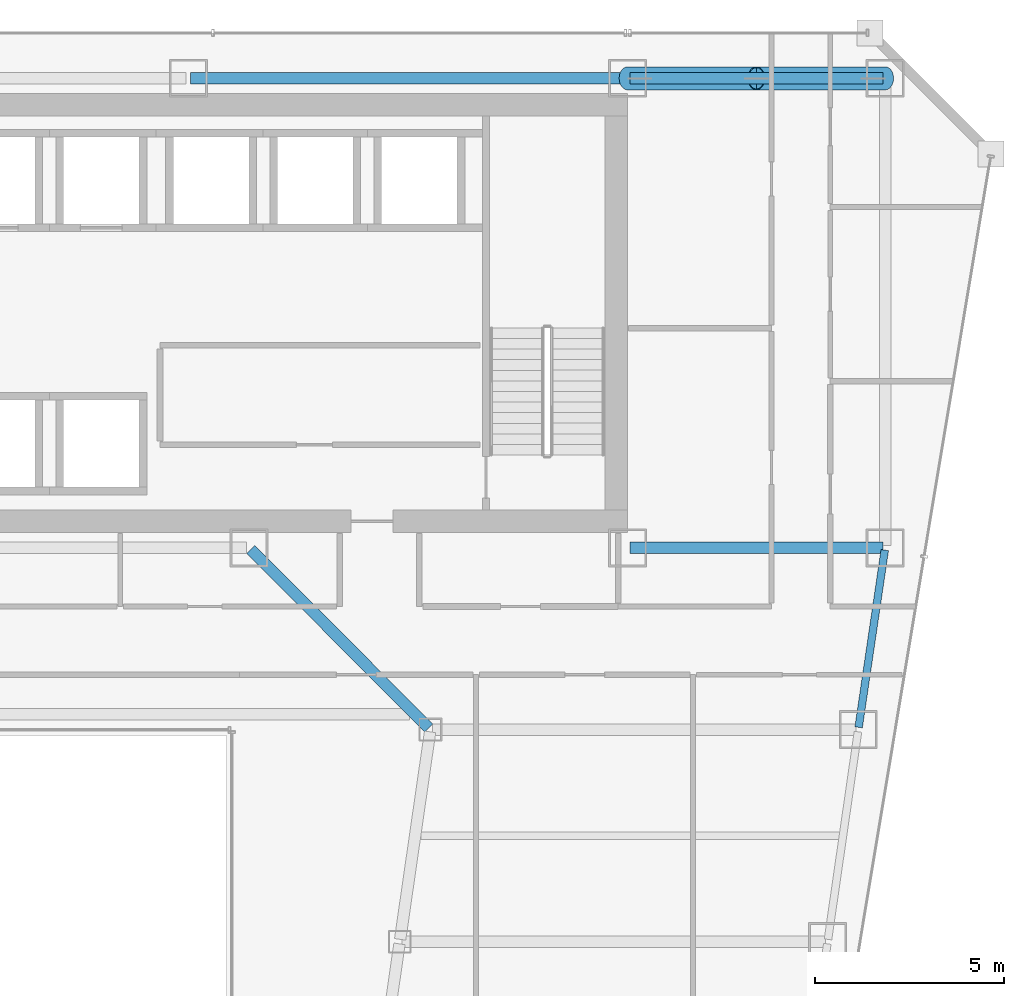
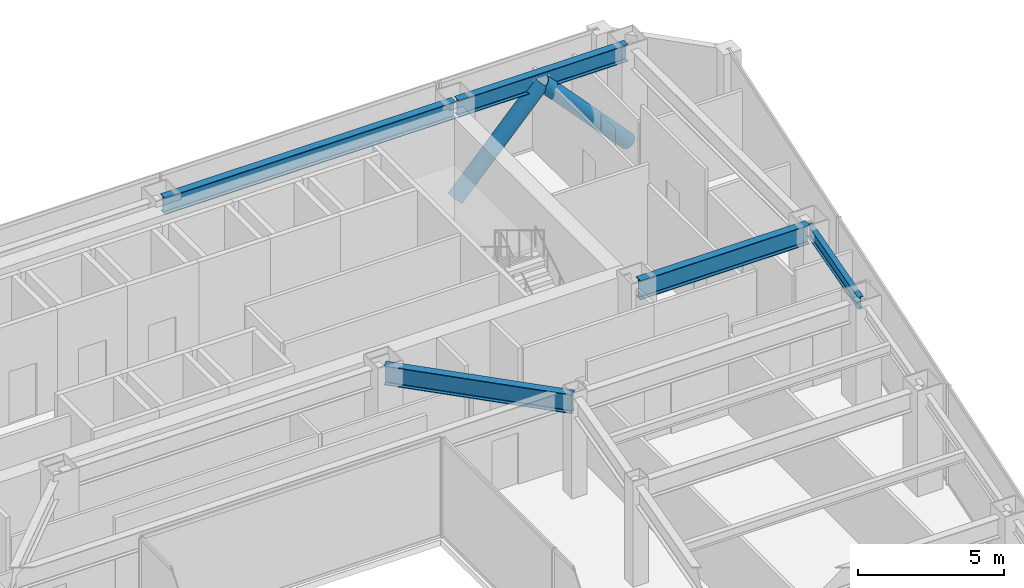
# One storey, part 26 of 37: 5 beams, 2 members.
"""IFC4 building model written with IfcOpenShell, lengths in metres."""

from ifc_helpers import new_model, si_unit, direction, frame, origin, origin_2d, place, context, subcontext, project, spatial, hollow_circle, i_section, extrude, material, material_profile, profile_set, type_object, element, save


model = new_model("IFC4")

# Units and contexts
model_context = context("Model", 3, precision=1e-05, world=origin(), true_north=direction((0.0, 1.0)))
body_context = subcontext(model_context, "Body", "Model", "MODEL_VIEW")
ifc_project = project(units=[si_unit("LENGTHUNIT", "METRE"), si_unit("AREAUNIT", "SQUARE_METRE"), si_unit("VOLUMEUNIT", "CUBIC_METRE"), si_unit("PLANEANGLEUNIT", "RADIAN"), si_unit("MASSUNIT", "GRAM", prefix="KILO")], contexts=[model_context])

# Site, building, storey
site_placement = place(None, origin())
site = spatial("IfcSite", under=ifc_project, at=site_placement, CompositionType="ELEMENT")
building_placement = place(site_placement, origin())
building = spatial("IfcBuilding", under=site, at=building_placement, Name="Saevonmaru Cultural Tower", CompositionType="ELEMENT")
storey_placement = place(building_placement, frame((0.0, 0.0, 114.800048828125)))
storey = spatial("IfcBuildingStorey", under=building, at=storey_placement, Name="L24", CompositionType="ELEMENT", Elevation=114.800048828125)

# Beams
ifc_material_1 = material(Name="Steel SM420", Category="steel")
ifc_material_profile_1 = material_profile(ifc_material_1, i_section(OverallWidth=0.300048828125, OverallDepth=0.800048828125, WebThickness=0.013916015625, FlangeThickness=0.02587890625, FilletRadius=0.028076171875, at=origin_2d()), Name="H-800x300x14x26")
ifc_profile_set_1 = profile_set([ifc_material_profile_1], Name="Steel SM420")
beam_type_1 = type_object("IfcBeamType", Name="BM-G-H800", PredefinedType="BEAM", material=ifc_profile_set_1)
beam_1_placement = place(storey_placement, frame((46.4599609375, 42.39990234375, 3.75), z_axis=(1.0, 0.0, 0.0), x_axis=(0.0, 1.0, 0.0)))
element("IfcBeam", 1, at=beam_1_placement, inside=storey, type_object=beam_type_1, Name="L24 Core South Girder 5", PredefinedType="BEAM", context=body_context, shape_type="SweptSolid", body=[
    extrude(i_section(OverallWidth=0.300048828125, OverallDepth=0.800048828125, WebThickness=0.013916015625, FlangeThickness=0.02587890625, FilletRadius=0.028076171875, at=origin_2d()), origin(), (0.0, 0.0, 1.0), 6.679931640625),
])
beam_2_placement = place(storey_placement, frame((41.149658203125, 37.642578125, 3.75), z_axis=(-0.706538566564, 0.707674539572, 0.0), x_axis=(-0.707674539572, -0.706538566564, 0.0)))
element("IfcBeam", 2, at=beam_2_placement, inside=storey, type_object=beam_type_1, Name="L24 East Atrium Girder 5", PredefinedType="BEAM", context=body_context, shape_type="SweptSolid", body=[
    extrude(i_section(OverallWidth=0.300048828125, OverallDepth=0.800048828125, WebThickness=0.013916015625, FlangeThickness=0.02587890625, FilletRadius=0.028076171875, at=origin_2d()), origin(), (0.0, 0.0, 1.0), 6.662353515625),
])
ifc_material_2 = material(Name="Steel SM355", Category="steel")
ifc_material_profile_2 = material_profile(ifc_material_2, i_section(OverallWidth=0.199951171875, OverallDepth=0.5, WebThickness=0.010009765625, FlangeThickness=0.01611328125, FilletRadius=0.02001953125, at=origin_2d()), Name="H-500x200x10x16")
ifc_profile_set_2 = profile_set([ifc_material_profile_2], Name="Steel SM355")
beam_type_2 = type_object("IfcBeamType", Name="BM-SP-H500", PredefinedType="SPANDREL", material=ifc_profile_set_2)
beam_3_placement = place(storey_placement, frame((52.500732421875, 37.659423828125, 3.89990234375), z_axis=(0.145912860028, 0.989297446312, 0.0), x_axis=(-0.989297446312, 0.145912860028, 0.0)))
element("IfcBeam", 3, at=beam_3_placement, inside=storey, type_object=beam_type_2, Name="L24 East Splayed Spandrel 5", PredefinedType="SPANDREL", context=body_context, shape_type="SweptSolid", body=[
    extrude(i_section(OverallWidth=0.199951171875, OverallDepth=0.5, WebThickness=0.010009765625, FlangeThickness=0.01611328125, FilletRadius=0.02001953125, at=origin_2d()), origin(), (0.0, 0.0, 1.0), 4.731689453125),
])
ifc_material_profile_3 = material_profile(ifc_material_2, i_section(OverallWidth=0.300048828125, OverallDepth=0.699951171875, WebThickness=0.012939453125, FlangeThickness=0.02392578125, FilletRadius=0.02587890625, at=origin_2d()), Name="H-700x300x13x24")
ifc_profile_set_3 = profile_set([ifc_material_profile_3], Name="Steel SM355")
beam_type_3 = type_object("IfcBeamType", Name="BM-SP-H700", PredefinedType="SPANDREL", material=ifc_profile_set_3)
beam_4_placement = place(storey_placement, frame((34.860107421875, 54.800048828125, 3.800048828125), z_axis=(1.0, 0.0, 0.0), x_axis=(0.0, 1.0, 0.0)))
element("IfcBeam", 4, at=beam_4_placement, inside=storey, type_object=beam_type_3, Name="L24 North Spine Girder 4", PredefinedType="SPANDREL", context=body_context, shape_type="SweptSolid", body=[
    extrude(i_section(OverallWidth=0.300048828125, OverallDepth=0.699951171875, WebThickness=0.012939453125, FlangeThickness=0.02392578125, FilletRadius=0.02587890625, at=origin_2d()), origin(), (0.0, 0.0, 1.0), 11.47998046875),
])
beam_5_placement = place(storey_placement, frame((46.4599609375, 54.800048828125, 3.800048828125), z_axis=(1.0, 0.0, 0.0), x_axis=(0.0, 1.0, 0.0)))
element("IfcBeam", 5, at=beam_5_placement, inside=storey, type_object=beam_type_3, Name="L24 North Spine Girder 5", PredefinedType="SPANDREL", context=body_context, shape_type="SweptSolid", body=[
    extrude(i_section(OverallWidth=0.300048828125, OverallDepth=0.699951171875, WebThickness=0.012939453125, FlangeThickness=0.02392578125, FilletRadius=0.02587890625, at=origin_2d()), origin(), (0.0, 0.0, 1.0), 6.679931640625),
])

# Members
ifc_material_3 = material(Name="Steel HSA600 (600 MPa)", Category="steel")
ifc_material_profile_4 = material_profile(ifc_material_3, hollow_circle(Radius=0.3046875, WallThickness=0.02490234375, at=origin_2d()), Name="CHS-609.6x25")
ifc_profile_set_4 = profile_set([ifc_material_profile_4], Name="Steel HSA600 (600 MPa)")
member_type = type_object("IfcMemberType", Name="MB-PBR-CHS610", PredefinedType="BRACE", material=ifc_profile_set_4)
member_1_placement = place(storey_placement, frame((46.39990234375, 54.800048828125, 0.02001953125), z_axis=(0.681629141635, 0.0, 0.731697829212), x_axis=(0.0, 1.0, 0.0)))
element("IfcMember", 6, at=member_1_placement, inside=storey, type_object=member_type, Name="L24 Perimeter Braced-Tube Diagonal EN1", PredefinedType="BRACE", context=body_context, shape_type="SweptSolid", body=[
    extrude(hollow_circle(Radius=0.3046875, WallThickness=0.02490234375, at=origin_2d()), origin(), (0.0, 0.0, 1.0), 4.98828125),
])
member_2_placement = place(storey_placement, frame((53.199951171875, 54.800048828125, 0.02001953125), z_axis=(-0.681602937137, 0.0, 0.73172223971), x_axis=(0.0, -1.0, 0.0)))
element("IfcMember", 7, at=member_2_placement, inside=storey, type_object=member_type, Name="L24 Perimeter Braced-Tube Diagonal EN2", PredefinedType="BRACE", context=body_context, shape_type="SweptSolid", body=[
    extrude(hollow_circle(Radius=0.3046875, WallThickness=0.02490234375, at=origin_2d()), origin(), (0.0, 0.0, 1.0), 4.988037109375),
])

save(model, "model.ifc")
